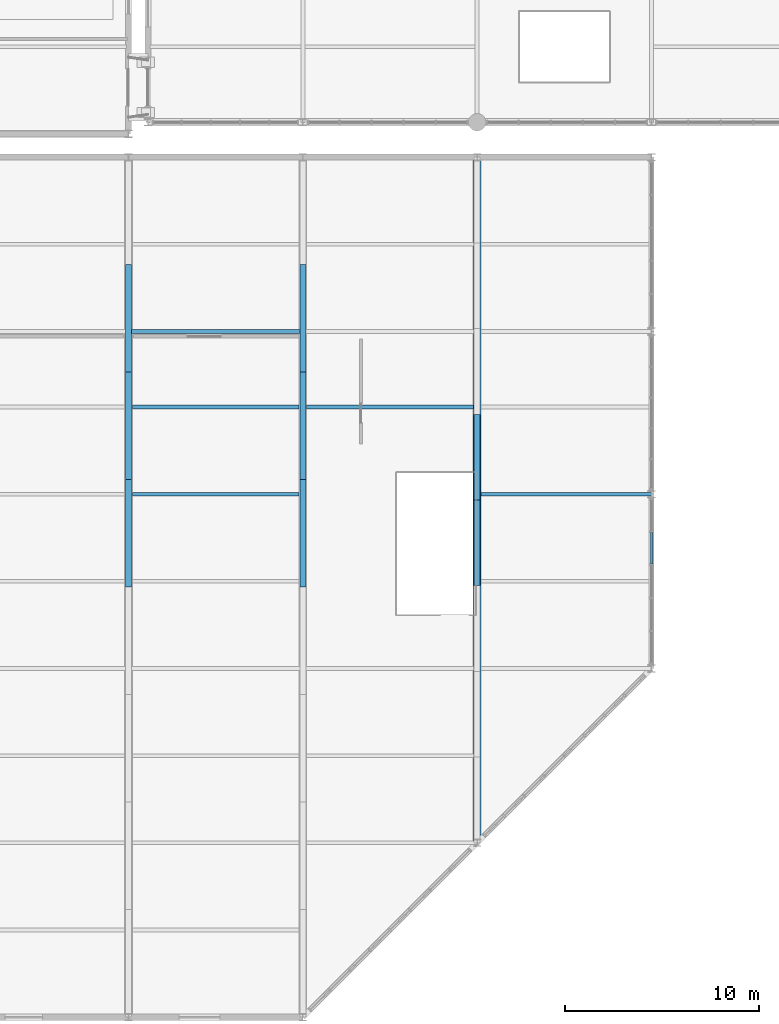
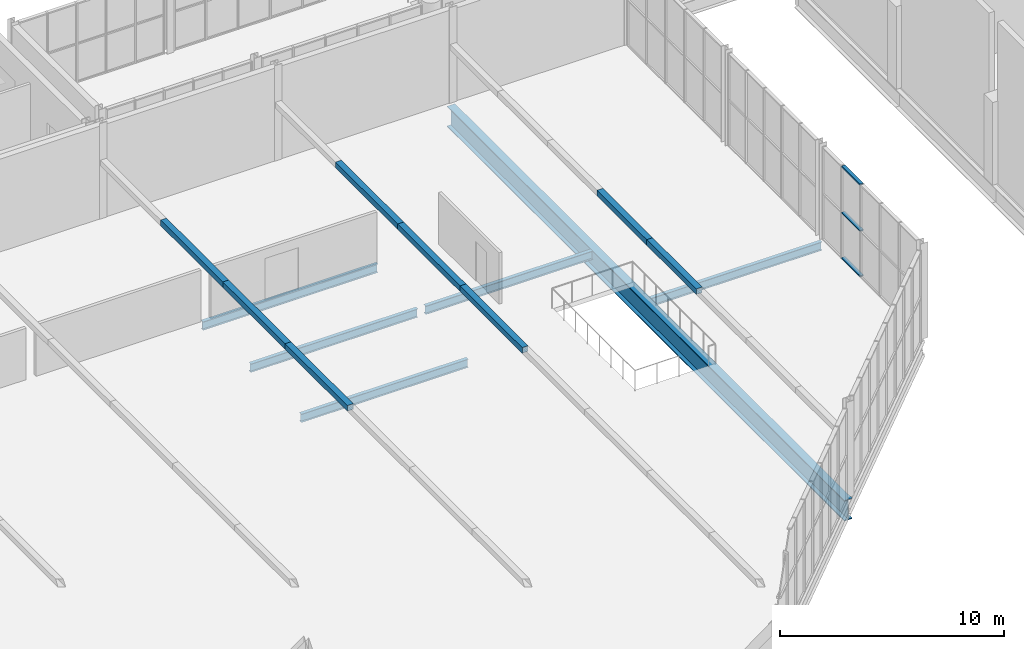
# One storey, part 29 of 134: 11 members, 6 beams, 1 element without a shape of its own.
"""IFC4 building model written with IfcOpenShell, lengths in metres."""

from ifc_helpers import new_model, si_unit, direction, frame, origin, origin_2d, place, context, subcontext, project, spatial, rectangle, hollow_rectangle, i_section, extrude, material, layer, layer_set, material_profile, profile_set, type_object, element, aggregate, save


model = new_model("IFC4")

# Units and contexts
model_context = context("Model", 3, precision=1e-05, world=origin(), true_north=direction((0.0, 1.0)))
body_context = subcontext(model_context, "Body", "Model", "MODEL_VIEW")
ifc_project = project(units=[si_unit("LENGTHUNIT", "METRE"), si_unit("AREAUNIT", "SQUARE_METRE"), si_unit("VOLUMEUNIT", "CUBIC_METRE"), si_unit("PLANEANGLEUNIT", "RADIAN"), si_unit("MASSUNIT", "GRAM", prefix="KILO")], contexts=[model_context])

# Site, building, storey
site_placement = place(None, origin())
site = spatial("IfcSite", under=ifc_project, at=site_placement, CompositionType="ELEMENT")
building_placement = place(site_placement, origin())
building = spatial("IfcBuilding", under=site, at=building_placement, Name="Cazmaro Siding Exhibition Halls", CompositionType="ELEMENT")
storey_placement = place(building_placement, frame((0.0, 0.0, 12.0)))
storey = spatial("IfcBuildingStorey", under=building, at=storey_placement, Name="L02", CompositionType="ELEMENT", Elevation=12.0)

# Curtain wall, members
ifc_material_1 = material(Name="Anodized Bronze Aluminum and Solar-Control Low-E Glazing", Category="aluminium")
ifc_layer = layer(ifc_material_1, 0.199951171875)
ifc_layer_set = layer_set([ifc_layer], Name="Anodized Bronze Aluminum and Solar-Control Low-E Glazing")
curtain_wall_type = type_object("IfcCurtainWallType", Name="CWS-02", PredefinedType="USERDEFINED", material=ifc_layer_set)
curtain_wall_placement = place(storey_placement, origin())
curtain_wall = element("IfcCurtainWall", 1, at=curtain_wall_placement, inside=storey, type_object=curtain_wall_type, Name="Glazed Curtain Wall CWS-02 CW-218", ObjectType="GLAZED CURTAIN WALL", PredefinedType="USERDEFINED")
ifc_material_2 = material(Name="Anodized Bronze Extruded Aluminum", Category="aluminium")
ifc_material_profile_1 = material_profile(ifc_material_2, rectangle(XDim=0.179931640625, YDim=0.06494140625, at=origin_2d()), Name="CWT-02")
ifc_profile_set_1 = profile_set([ifc_material_profile_1], Name="Anodized Bronze Extruded Aluminum")
member_type_1 = type_object("IfcMemberType", Name="CWT-02", PredefinedType="MULLION", material=ifc_profile_set_1)
member_1_placement = place(storey_placement, frame((63.0, 32.38623046875, 0.032470703125), z_axis=(0.0, 1.0, 0.0), x_axis=(-1.0, 0.0, 0.0)))
member_1 = element("IfcMember", 2, at=member_1_placement, type_object=member_type_1, Name="CWS-02 transom 4.1", ObjectType="TRANSOM", PredefinedType="USERDEFINED", context=body_context, shape_type="SweptSolid", body=[
    extrude(rectangle(XDim=0.179931640625, YDim=0.06494140625, at=origin_2d()), origin(), (0.0, 0.0, 1.0), 1.642578125),
])
member_2_placement = place(storey_placement, frame((63.0, 32.38623046875, 2.5), z_axis=(0.0, 1.0, 0.0), x_axis=(-1.0, 0.0, 0.0)))
member_2 = element("IfcMember", 3, at=member_2_placement, type_object=member_type_1, Name="CWS-02 transom 4.2", ObjectType="TRANSOM", PredefinedType="USERDEFINED", context=body_context, shape_type="SweptSolid", body=[
    extrude(rectangle(XDim=0.179931640625, YDim=0.06494140625, at=origin_2d()), origin(), (0.0, 0.0, 1.0), 1.642578125),
])
member_3_placement = place(storey_placement, frame((63.0, 32.38623046875, 5.017578125), z_axis=(0.0, 1.0, 0.0), x_axis=(-1.0, 0.0, 0.0)))
member_3 = element("IfcMember", 4, at=member_3_placement, type_object=member_type_1, Name="CWS-02 transom 4.3", ObjectType="TRANSOM", PredefinedType="USERDEFINED", context=body_context, shape_type="SweptSolid", body=[
    extrude(rectangle(XDim=0.179931640625, YDim=0.06494140625, at=origin_2d()), origin(), (0.0, 0.0, 1.0), 1.642578125),
])
aggregate(curtain_wall, [member_1, member_2, member_3])

# Beams
ifc_material_3 = material(Name="Steel ASTM A992 Grade 50", Category="steel")
ifc_material_profile_2 = material_profile(ifc_material_3, i_section(OverallWidth=0.404052734375, OverallDepth=1.117919921875, WebThickness=0.02587890625, FlangeThickness=0.044921875, at=origin_2d()), Name="W44X335")
ifc_profile_set_2 = profile_set([ifc_material_profile_2], Name="Steel ASTM A992 Grade 50")
beam_type_1 = type_object("IfcBeamType", Name="G-07", PredefinedType="USERDEFINED", material=ifc_profile_set_2)
beam_1_placement = place(storey_placement, frame((54.0, 18.0, -0.80908203125), z_axis=(0.0, 1.0, 0.0), x_axis=(-1.0, 0.0, 0.0)))
element("IfcBeam", 5, at=beam_1_placement, inside=storey, type_object=beam_type_1, Name="Beam G-07 BM-1820", ObjectType="GIRDER", PredefinedType="USERDEFINED", context=body_context, shape_type="SweptSolid", body=[
    extrude(i_section(OverallWidth=0.404052734375, OverallDepth=1.117919921875, WebThickness=0.02587890625, FlangeThickness=0.044921875, at=origin_2d()), origin(), (0.0, 0.0, 1.0), 35.39990234375),
])
ifc_material_4 = material(Name="Steel ASTM A992 Grade 50", Category="steel")
ifc_material_profile_3 = material_profile(ifc_material_4, i_section(OverallWidth=0.19091796875, OverallDepth=0.45703125, WebThickness=0.009033203125, FlangeThickness=0.013916015625, at=origin_2d()), Name="W18X50")
ifc_profile_set_3 = profile_set([ifc_material_profile_3], Name="Steel ASTM A992 Grade 50")
beam_type_2 = type_object("IfcBeamType", Name="J-01", PredefinedType="JOIST", material=ifc_profile_set_3)
beam_2_placement = place(storey_placement, frame((36.201904296875, 36.0, -0.47900390625), z_axis=(1.0, 0.0, 0.0), x_axis=(0.0, 1.0, 0.0)))
element("IfcBeam", 6, at=beam_2_placement, inside=storey, type_object=beam_type_2, Name="Beam J-01 BM-1855", PredefinedType="JOIST", context=body_context, shape_type="SweptSolid", body=[
    extrude(i_section(OverallWidth=0.19091796875, OverallDepth=0.45703125, WebThickness=0.009033203125, FlangeThickness=0.013916015625, at=origin_2d()), origin(), (0.0, 0.0, 1.0), 8.59619140625),
])
beam_3_placement = place(storey_placement, frame((54.201904296875, 36.0, -0.47900390625), z_axis=(1.0, 0.0, 0.0), x_axis=(0.0, 1.0, 0.0)))
element("IfcBeam", 7, at=beam_3_placement, inside=storey, type_object=beam_type_2, Name="Beam J-01 BM-1856", PredefinedType="JOIST", context=body_context, shape_type="SweptSolid", body=[
    extrude(i_section(OverallWidth=0.19091796875, OverallDepth=0.45703125, WebThickness=0.009033203125, FlangeThickness=0.013916015625, at=origin_2d()), origin(), (0.0, 0.0, 1.0), 8.798095703125),
])
for number, where, z_axis, x_axis, name in (
    (8, (36.201904296875, 40.5, -0.47900390625), (1.0, 0.0, 0.0), (0.0, 1.0, 0.0), "Beam J-01 BM-1861"),
    (9, (45.201904296875, 40.5, -0.47900390625), (1.0, 0.0, 0.0), (0.0, 1.0, 0.0), "Beam J-01 BM-1862"),
):
    element("IfcBeam", number, at=place(storey_placement, frame(where, z_axis=z_axis, x_axis=x_axis)), inside=storey, type_object=beam_type_2, Name=name, PredefinedType="JOIST", context=body_context, shape_type="SweptSolid", body=[
        extrude(i_section(OverallWidth=0.19091796875, OverallDepth=0.45703125, WebThickness=0.009033203125, FlangeThickness=0.013916015625, at=origin_2d()), origin(), (0.0, 0.0, 1.0), 8.59619140625),
    ])
beam_4_placement = place(storey_placement, frame((36.0, 44.39990234375, -0.47900390625), z_axis=(1.0, 0.0, 0.0), x_axis=(0.0, 1.0, 0.0)))
element("IfcBeam", 10, at=beam_4_placement, inside=storey, type_object=beam_type_2, Name="Beam J-01 BM-1868", PredefinedType="JOIST", context=body_context, shape_type="SweptSolid", body=[
    extrude(i_section(OverallWidth=0.19091796875, OverallDepth=0.45703125, WebThickness=0.009033203125, FlangeThickness=0.013916015625, at=origin_2d()), origin(), (0.0, 0.0, 1.0), 9.0),
])

# Members
ifc_material_5 = material(Name="Steel ASTM A500 Grade C", Category="steel")
ifc_material_profile_4 = material_profile(ifc_material_5, hollow_rectangle(XDim=0.304931640625, YDim=0.304931640625, WallThickness=0.014892578125, at=origin_2d()), Name="HSS12X12X5/8")
ifc_profile_set_4 = profile_set([ifc_material_profile_4], Name="Steel ASTM A500 Grade C")
member_type_2 = type_object("IfcMemberType", Name="TC-02", PredefinedType="CHORD", material=ifc_profile_set_4)
for number, where, z_axis, x_axis, name in (
    (11, (36.0, 31.199951171875, 3.050048828125), (0.0, 1.0, 0.0), (-1.0, 0.0, 0.0), "Congress folded roof bottom chord TC-02 MEM-3350"),
    (12, (36.0, 36.75, 3.050048828125), (0.0, 1.0, 0.0), (-1.0, 0.0, 0.0), "Congress folded roof bottom chord TC-02 MEM-3353"),
    (13, (36.0, 42.300048828125, 3.050048828125), (0.0, 1.0, 0.0), (-1.0, 0.0, 0.0), "Congress folded roof bottom chord TC-02 MEM-3356"),
    (14, (45.0, 31.199951171875, 3.050048828125), (0.0, 1.0, 0.0), (-1.0, 0.0, 0.0), "Congress folded roof bottom chord TC-02 MEM-3381"),
    (15, (45.0, 36.75, 3.050048828125), (0.0, 1.0, 0.0), (-1.0, 0.0, 0.0), "Congress folded roof bottom chord TC-02 MEM-3384"),
    (16, (45.0, 42.300048828125, 3.050048828125), (0.0, 1.0, 0.0), (-1.0, 0.0, 0.0), "Congress folded roof bottom chord TC-02 MEM-3387"),
):
    element("IfcMember", number, at=place(storey_placement, frame(where, z_axis=z_axis, x_axis=x_axis)), inside=storey, type_object=member_type_2, Name=name, PredefinedType="CHORD", context=body_context, shape_type="SweptSolid", body=[
        extrude(hollow_rectangle(XDim=0.304931640625, YDim=0.304931640625, WallThickness=0.014892578125, at=origin_2d()), origin(), (0.0, 0.0, 1.0), 5.550048828125),
    ])
for number, where, z_axis, x_axis, name in (
    (17, (54.0, 31.27490234375, 3.050048828125), (0.0, 1.0, 0.0), (-1.0, 0.0, 0.0), "Congress folded roof bottom chord TC-02 MEM-3409"),
    (18, (54.0, 35.699951171875, 3.050048828125), (0.0, 1.0, 0.0), (-1.0, 0.0, 0.0), "Congress folded roof bottom chord TC-02 MEM-3412"),
):
    element("IfcMember", number, at=place(storey_placement, frame(where, z_axis=z_axis, x_axis=x_axis)), inside=storey, type_object=member_type_2, Name=name, PredefinedType="CHORD", context=body_context, shape_type="SweptSolid", body=[
        extrude(hollow_rectangle(XDim=0.304931640625, YDim=0.304931640625, WallThickness=0.014892578125, at=origin_2d()), origin(), (0.0, 0.0, 1.0), 4.425048828125),
    ])

save(model, "model.ifc")
